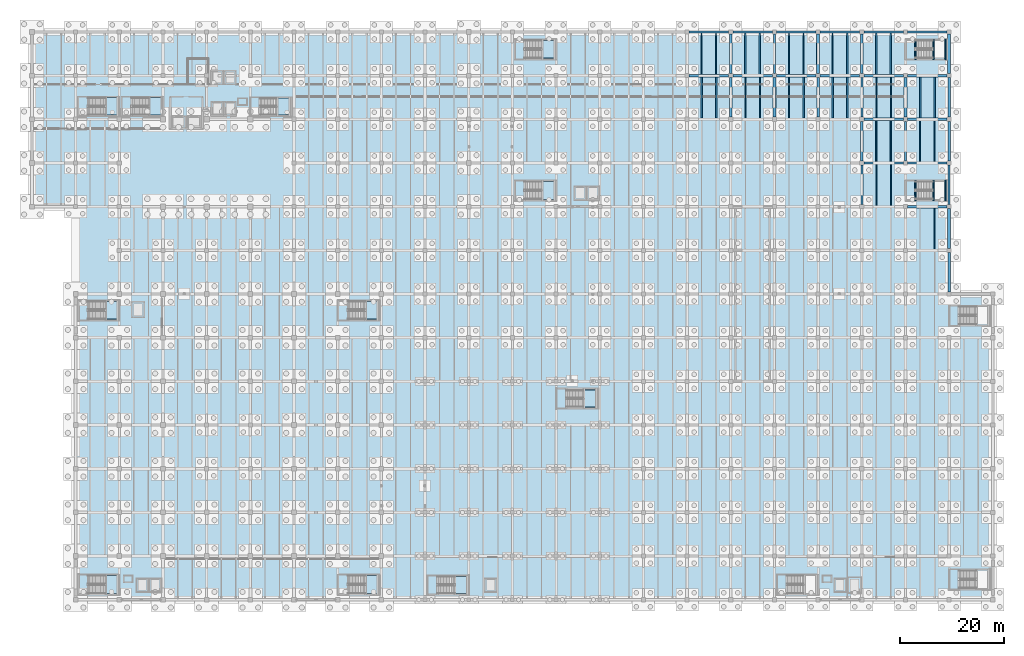
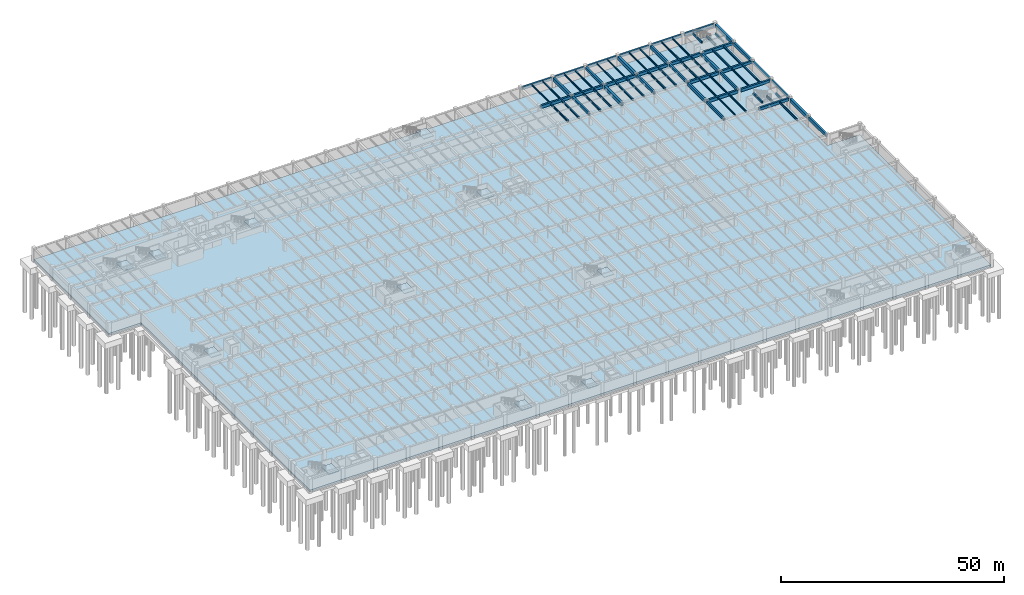
# One storey, part 33 of 70: 70 beams, 12 slabs, 11 elements without a shape of their own.
"""IFC4 building model written with IfcOpenShell, lengths in metres."""

from ifc_helpers import new_model, si_unit, direction, frame, origin, origin_2d, place, context, subcontext, project, spatial, polyline, rectangle, i_section, outline, extrude, material, layer, layer_set, material_profile, profile_set, type_object, element, aggregate, save


model = new_model("IFC4")

# Units and contexts
model_context = context("Model", 3, precision=1e-05, world=origin(), true_north=direction((0.0, 1.0)))
body_context = subcontext(model_context, "Body", "Model", "MODEL_VIEW")
ifc_project = project(units=[si_unit("LENGTHUNIT", "METRE"), si_unit("AREAUNIT", "SQUARE_METRE"), si_unit("VOLUMEUNIT", "CUBIC_METRE"), si_unit("PLANEANGLEUNIT", "RADIAN"), si_unit("MASSUNIT", "GRAM", prefix="KILO")], contexts=[model_context])

# Site, building, storey
site_placement = place(None, origin())
site = spatial("IfcSite", under=ifc_project, at=site_placement, CompositionType="ELEMENT")
building_placement = place(site_placement, origin())
building = spatial("IfcBuilding", under=site, at=building_placement, Name="Cumbredor Promenade Congress Hotel", CompositionType="ELEMENT")
storey_placement = place(building_placement, frame((0.0, 0.0, -7.56005859375)))
storey = spatial("IfcBuildingStorey", under=building, at=storey_placement, Name="B02", CompositionType="ELEMENT", Elevation=-7.56005859375)

# Beams
ifc_material_1 = material(Name="Concrete C40/50", Category="concrete")
ifc_material_profile_1 = material_profile(ifc_material_1, rectangle(XDim=0.39990234375, YDim=0.64990234375, at=origin_2d()), Name="RC BEAM 400x650")
ifc_profile_set_1 = profile_set([ifc_material_profile_1], Name="Concrete C40/50")
beam_type_1 = type_object("IfcBeamType", Name="BM-RC-400x650", PredefinedType="BEAM", material=ifc_profile_set_1)
for number, where, z_axis, x_axis, name in (
    (1, (134.39990234375, 101.199951171875, 2.635009765625), (0.0, 1.0, 0.0), (-1.0, 0.0, 0.0), "B01 Y-Grid Beam 412"),
    (2, (159.60009765625, 84.39990234375, 2.635009765625), (0.0, 1.0, 0.0), (-1.0, 0.0, 0.0), "B01 Y-Grid Beam 488"),
    (3, (159.60009765625, 101.199951171875, 2.635009765625), (0.0, 1.0, 0.0), (-1.0, 0.0, 0.0), "B01 Y-Grid Beam 492"),
):
    element("IfcBeam", number, at=place(storey_placement, frame(where, z_axis=z_axis, x_axis=x_axis)), inside=storey, type_object=beam_type_1, Name=name, PredefinedType="BEAM", context=body_context, shape_type="SweptSolid", body=[
        extrude(rectangle(XDim=0.39990234375, YDim=0.64990234375, at=origin_2d()), origin(), (0.0, 0.0, 1.0), 7.60009765625),
    ])
beam_1_placement = place(storey_placement, frame((168.0, 92.800048828125, 2.635009765625), z_axis=(0.0, 1.0, 0.0), x_axis=(-1.0, 0.0, 0.0)))
element("IfcBeam", 4, at=beam_1_placement, inside=storey, type_object=beam_type_1, Name="B01 Y-Grid Beam 516", PredefinedType="BEAM", context=body_context, shape_type="SweptSolid", body=[
    extrude(rectangle(XDim=0.39990234375, YDim=0.64990234375, at=origin_2d()), origin(), (0.0, 0.0, 1.0), 7.599853515625),
])
beam_2_placement = place(storey_placement, frame((176.39990234375, 84.39990234375, 2.635009765625), z_axis=(0.0, 1.0, 0.0), x_axis=(-1.0, 0.0, 0.0)))
element("IfcBeam", 5, at=beam_2_placement, inside=storey, type_object=beam_type_1, Name="B01 Y-Grid Beam 536", PredefinedType="BEAM", context=body_context, shape_type="SweptSolid", body=[
    extrude(rectangle(XDim=0.39990234375, YDim=0.64990234375, at=origin_2d()), origin(), (0.0, 0.0, 1.0), 7.60009765625),
])
ifc_material_profile_2 = material_profile(ifc_material_1, rectangle(XDim=0.449951171875, YDim=0.75, at=origin_2d()), Name="RC BEAM 450x750")
ifc_profile_set_2 = profile_set([ifc_material_profile_2], Name="Concrete C40/50")
beam_type_2 = type_object("IfcBeamType", Name="BM-RC-450x750", PredefinedType="BEAM", material=ifc_profile_set_2)
for number, where, z_axis, x_axis, name in (
    (6, (126.39990234375, 109.199951171875, 2.5849609375), (1.0, 0.0, 0.0), (0.0, 1.0, 0.0), "B01 X-Grid Beam 386"),
    (7, (126.39990234375, 117.60009765625, 2.5849609375), (1.0, 0.0, 0.0), (0.0, 1.0, 0.0), "B01 X-Grid Beam 388"),
):
    element("IfcBeam", number, at=place(storey_placement, frame(where, z_axis=z_axis, x_axis=x_axis)), inside=storey, type_object=beam_type_2, Name=name, PredefinedType="BEAM", context=body_context, shape_type="SweptSolid", body=[
        extrude(rectangle(XDim=0.449951171875, YDim=0.75, at=origin_2d()), origin(), (0.0, 0.0, 1.0), 7.60009765625),
    ])
for number, where, z_axis, x_axis, name in (
    (8, (134.800048828125, 109.199951171875, 2.5849609375), (1.0, 0.0, 0.0), (0.0, 1.0, 0.0), "B01 X-Grid Beam 413"),
    (9, (134.800048828125, 117.60009765625, 2.5849609375), (1.0, 0.0, 0.0), (0.0, 1.0, 0.0), "B01 X-Grid Beam 415"),
):
    element("IfcBeam", number, at=place(storey_placement, frame(where, z_axis=z_axis, x_axis=x_axis)), inside=storey, type_object=beam_type_2, Name=name, PredefinedType="BEAM", context=body_context, shape_type="SweptSolid", body=[
        extrude(rectangle(XDim=0.449951171875, YDim=0.75, at=origin_2d()), origin(), (0.0, 0.0, 1.0), 7.599853515625),
    ])
beam_3_placement = place(storey_placement, frame((143.199951171875, 109.199951171875, 2.5849609375), z_axis=(1.0, 0.0, 0.0), x_axis=(0.0, 1.0, 0.0)))
element("IfcBeam", 10, at=beam_3_placement, inside=storey, type_object=beam_type_2, Name="B01 X-Grid Beam 440", PredefinedType="BEAM", context=body_context, shape_type="SweptSolid", body=[
    extrude(rectangle(XDim=0.449951171875, YDim=0.75, at=origin_2d()), origin(), (0.0, 0.0, 1.0), 7.60009765625),
])
beam_4_placement = place(storey_placement, frame((142.800048828125, 109.60009765625, 2.5849609375), z_axis=(0.0, 1.0, 0.0), x_axis=(-1.0, 0.0, 0.0)))
element("IfcBeam", 11, at=beam_4_placement, inside=storey, type_object=beam_type_2, Name="B01 Y-Grid Beam 441", PredefinedType="BEAM", context=body_context, shape_type="SweptSolid", body=[
    extrude(rectangle(XDim=0.449951171875, YDim=0.75, at=origin_2d()), origin(), (0.0, 0.0, 1.0), 7.599853515625),
])
for number, where, z_axis, x_axis, name in (
    (12, (143.199951171875, 117.60009765625, 2.5849609375), (1.0, 0.0, 0.0), (0.0, 1.0, 0.0), "B01 X-Grid Beam 442"),
    (13, (151.199951171875, 101.199951171875, 2.5849609375), (0.0, 1.0, 0.0), (-1.0, 0.0, 0.0), "B01 Y-Grid Beam 465"),
):
    element("IfcBeam", number, at=place(storey_placement, frame(where, z_axis=z_axis, x_axis=x_axis)), inside=storey, type_object=beam_type_2, Name=name, PredefinedType="BEAM", context=body_context, shape_type="SweptSolid", body=[
        extrude(rectangle(XDim=0.449951171875, YDim=0.75, at=origin_2d()), origin(), (0.0, 0.0, 1.0), 7.60009765625),
    ])
for number, where, z_axis, x_axis, name in (
    (14, (151.60009765625, 109.199951171875, 2.5849609375), (1.0, 0.0, 0.0), (0.0, 1.0, 0.0), "B01 X-Grid Beam 466"),
    (15, (151.60009765625, 117.60009765625, 2.5849609375), (1.0, 0.0, 0.0), (0.0, 1.0, 0.0), "B01 X-Grid Beam 468"),
):
    element("IfcBeam", number, at=place(storey_placement, frame(where, z_axis=z_axis, x_axis=x_axis)), inside=storey, type_object=beam_type_2, Name=name, PredefinedType="BEAM", context=body_context, shape_type="SweptSolid", body=[
        extrude(rectangle(XDim=0.449951171875, YDim=0.75, at=origin_2d()), origin(), (0.0, 0.0, 1.0), 7.599853515625),
    ])
for number, where, z_axis, x_axis, name in (
    (16, (160.0, 92.39990234375, 2.5849609375), (1.0, 0.0, 0.0), (0.0, 1.0, 0.0), "B01 X-Grid Beam 489"),
    (17, (160.0, 100.800048828125, 2.5849609375), (1.0, 0.0, 0.0), (0.0, 1.0, 0.0), "B01 X-Grid Beam 491"),
    (18, (160.0, 109.199951171875, 2.5849609375), (1.0, 0.0, 0.0), (0.0, 1.0, 0.0), "B01 X-Grid Beam 493"),
    (19, (160.0, 117.60009765625, 2.5849609375), (1.0, 0.0, 0.0), (0.0, 1.0, 0.0), "B01 X-Grid Beam 495"),
    (20, (168.39990234375, 84.0, 2.5849609375), (1.0, 0.0, 0.0), (0.0, 1.0, 0.0), "B01 X-Grid Beam 514"),
    (21, (168.39990234375, 92.39990234375, 2.5849609375), (1.0, 0.0, 0.0), (0.0, 1.0, 0.0), "B01 X-Grid Beam 515"),
    (22, (168.39990234375, 100.800048828125, 2.5849609375), (1.0, 0.0, 0.0), (0.0, 1.0, 0.0), "B01 X-Grid Beam 517"),
    (23, (168.39990234375, 109.199951171875, 2.5849609375), (1.0, 0.0, 0.0), (0.0, 1.0, 0.0), "B01 X-Grid Beam 519"),
    (24, (168.39990234375, 117.60009765625, 2.5849609375), (1.0, 0.0, 0.0), (0.0, 1.0, 0.0), "B01 X-Grid Beam 520"),
):
    element("IfcBeam", number, at=place(storey_placement, frame(where, z_axis=z_axis, x_axis=x_axis)), inside=storey, type_object=beam_type_2, Name=name, PredefinedType="BEAM", context=body_context, shape_type="SweptSolid", body=[
        extrude(rectangle(XDim=0.449951171875, YDim=0.75, at=origin_2d()), origin(), (0.0, 0.0, 1.0), 7.60009765625),
    ])
beam_5_placement = place(storey_placement, frame((176.39990234375, 92.800048828125, 2.5849609375), z_axis=(0.0, 1.0, 0.0), x_axis=(-1.0, 0.0, 0.0)))
element("IfcBeam", 25, at=beam_5_placement, inside=storey, type_object=beam_type_2, Name="B01 Y-Grid Beam 537", PredefinedType="BEAM", context=body_context, shape_type="SweptSolid", body=[
    extrude(rectangle(XDim=0.449951171875, YDim=0.75, at=origin_2d()), origin(), (0.0, 0.0, 1.0), 7.599853515625),
])
ifc_material_profile_3 = material_profile(ifc_material_1, rectangle(XDim=0.5, YDim=0.85009765625, at=origin_2d()), Name="RC BEAM 500x850")
ifc_profile_set_3 = profile_set([ifc_material_profile_3], Name="Concrete C40/50")
beam_type_3 = type_object("IfcBeamType", Name="BM-RC-500x850", PredefinedType="BEAM", material=ifc_profile_set_3)
for number, where, z_axis, x_axis, name in (
    (26, (134.39990234375, 109.60009765625, 2.53515625), (0.0, 1.0, 0.0), (-1.0, 0.0, 0.0), "B01 Y-Grid Beam 414"),
    (27, (159.60009765625, 92.800048828125, 2.53515625), (0.0, 1.0, 0.0), (-1.0, 0.0, 0.0), "B01 Y-Grid Beam 490"),
    (28, (159.60009765625, 109.60009765625, 2.53515625), (0.0, 1.0, 0.0), (-1.0, 0.0, 0.0), "B01 Y-Grid Beam 494"),
):
    element("IfcBeam", number, at=place(storey_placement, frame(where, z_axis=z_axis, x_axis=x_axis)), inside=storey, type_object=beam_type_3, Name=name, PredefinedType="BEAM", context=body_context, shape_type="SweptSolid", body=[
        extrude(rectangle(XDim=0.5, YDim=0.85009765625, at=origin_2d()), origin(), (0.0, 0.0, 1.0), 7.599853515625),
    ])
beam_6_placement = place(storey_placement, frame((168.0, 101.199951171875, 2.53515625), z_axis=(0.0, 1.0, 0.0), x_axis=(-1.0, 0.0, 0.0)))
element("IfcBeam", 29, at=beam_6_placement, inside=storey, type_object=beam_type_3, Name="B01 Y-Grid Beam 518", PredefinedType="BEAM", context=body_context, shape_type="SweptSolid", body=[
    extrude(rectangle(XDim=0.5, YDim=0.85009765625, at=origin_2d()), origin(), (0.0, 0.0, 1.0), 7.60009765625),
])
beam_7_placement = place(storey_placement, frame((176.39990234375, 67.60009765625, 2.53515625), z_axis=(0.0, 1.0, 0.0), x_axis=(-1.0, 0.0, 0.0)))
element("IfcBeam", 30, at=beam_7_placement, inside=storey, type_object=beam_type_3, Name="B01 Y-Grid Beam 534", PredefinedType="BEAM", context=body_context, shape_type="SweptSolid", body=[
    extrude(rectangle(XDim=0.5, YDim=0.85009765625, at=origin_2d()), origin(), (0.0, 0.0, 1.0), 7.599853515625),
])
beam_8_placement = place(storey_placement, frame((176.39990234375, 101.199951171875, 2.53515625), z_axis=(0.0, 1.0, 0.0), x_axis=(-1.0, 0.0, 0.0)))
element("IfcBeam", 31, at=beam_8_placement, inside=storey, type_object=beam_type_3, Name="B01 Y-Grid Beam 538", PredefinedType="BEAM", context=body_context, shape_type="SweptSolid", body=[
    extrude(rectangle(XDim=0.5, YDim=0.85009765625, at=origin_2d()), origin(), (0.0, 0.0, 1.0), 7.60009765625),
])
ifc_material_profile_4 = material_profile(ifc_material_1, rectangle(XDim=0.550048828125, YDim=0.949951171875, at=origin_2d()), Name="RC BEAM 550x950")
ifc_profile_set_4 = profile_set([ifc_material_profile_4], Name="Concrete C40/50")
beam_type_4 = type_object("IfcBeamType", Name="BM-RC-550x950", PredefinedType="BEAM", material=ifc_profile_set_4)
beam_9_placement = place(storey_placement, frame((142.800048828125, 101.199951171875, 2.485107421875), z_axis=(0.0, 1.0, 0.0), x_axis=(-1.0, 0.0, 0.0)))
element("IfcBeam", 32, at=beam_9_placement, inside=storey, type_object=beam_type_4, Name="B01 Y-Grid Beam 439", PredefinedType="BEAM", context=body_context, shape_type="SweptSolid", body=[
    extrude(rectangle(XDim=0.550048828125, YDim=0.949951171875, at=origin_2d()), origin(), (0.0, 0.0, 1.0), 7.60009765625),
])
beam_10_placement = place(storey_placement, frame((151.199951171875, 109.60009765625, 2.485107421875), z_axis=(0.0, 1.0, 0.0), x_axis=(-1.0, 0.0, 0.0)))
element("IfcBeam", 33, at=beam_10_placement, inside=storey, type_object=beam_type_4, Name="B01 Y-Grid Beam 467", PredefinedType="BEAM", context=body_context, shape_type="SweptSolid", body=[
    extrude(rectangle(XDim=0.550048828125, YDim=0.949951171875, at=origin_2d()), origin(), (0.0, 0.0, 1.0), 7.599853515625),
])
beam_11_placement = place(storey_placement, frame((176.39990234375, 76.0, 2.485107421875), z_axis=(0.0, 1.0, 0.0), x_axis=(-1.0, 0.0, 0.0)))
element("IfcBeam", 34, at=beam_11_placement, inside=storey, type_object=beam_type_4, Name="B01 Y-Grid Beam 535", PredefinedType="BEAM", context=body_context, shape_type="SweptSolid", body=[
    extrude(rectangle(XDim=0.550048828125, YDim=0.949951171875, at=origin_2d()), origin(), (0.0, 0.0, 1.0), 7.60009765625),
])
beam_12_placement = place(storey_placement, frame((176.39990234375, 109.60009765625, 2.485107421875), z_axis=(0.0, 1.0, 0.0), x_axis=(-1.0, 0.0, 0.0)))
element("IfcBeam", 35, at=beam_12_placement, inside=storey, type_object=beam_type_4, Name="B01 Y-Grid Beam 539", PredefinedType="BEAM", context=body_context, shape_type="SweptSolid", body=[
    extrude(rectangle(XDim=0.550048828125, YDim=0.949951171875, at=origin_2d()), origin(), (0.0, 0.0, 1.0), 7.599853515625),
])
ifc_material_2 = material(Name="Steel ASTM A992 Grade 50", Category="steel")
ifc_material_profile_5 = material_profile(ifc_material_2, i_section(OverallWidth=0.202880859375, OverallDepth=0.302978515625, WebThickness=0.007568359375, FlangeThickness=0.01318359375, at=origin_2d()), Name="W12X40")
ifc_profile_set_5 = profile_set([ifc_material_profile_5], Name="Steel ASTM A992 Grade 50")
beam_type_5 = type_object("IfcBeamType", Name="JST-W12X40", PredefinedType="JOIST", material=ifc_profile_set_5)
for number, where, z_axis, x_axis, name in (
    (36, (128.800048828125, 109.425048828125, 2.80859375), (0.0, 1.0, 0.0), (-1.0, 0.0, 0.0), "B01 Secondary Floor Joist 0345"),
    (37, (131.60009765625, 109.425048828125, 2.80859375), (0.0, 1.0, 0.0), (-1.0, 0.0, 0.0), "B01 Secondary Floor Joist 0346"),
    (38, (145.60009765625, 109.425048828125, 2.80859375), (0.0, 1.0, 0.0), (-1.0, 0.0, 0.0), "B01 Secondary Floor Joist 0395"),
    (39, (148.39990234375, 109.425048828125, 2.80859375), (0.0, 1.0, 0.0), (-1.0, 0.0, 0.0), "B01 Secondary Floor Joist 0396"),
    (40, (154.0, 109.425048828125, 2.80859375), (0.0, 1.0, 0.0), (-1.0, 0.0, 0.0), "B01 Secondary Floor Joist 0420"),
    (41, (156.800048828125, 109.425048828125, 2.80859375), (0.0, 1.0, 0.0), (-1.0, 0.0, 0.0), "B01 Secondary Floor Joist 0421"),
    (42, (162.39990234375, 84.22509765625, 2.80859375), (0.0, 1.0, 0.0), (-1.0, 0.0, 0.0), "B01 Secondary Floor Joist 0440"),
    (43, (165.199951171875, 84.22509765625, 2.80859375), (0.0, 1.0, 0.0), (-1.0, 0.0, 0.0), "B01 Secondary Floor Joist 0441"),
):
    element("IfcBeam", number, at=place(storey_placement, frame(where, z_axis=z_axis, x_axis=x_axis)), inside=storey, type_object=beam_type_5, Name=name, PredefinedType="JOIST", context=body_context, shape_type="SweptSolid", body=[
        extrude(i_section(OverallWidth=0.202880859375, OverallDepth=0.302978515625, WebThickness=0.007568359375, FlangeThickness=0.01318359375, at=origin_2d()), origin(), (0.0, 0.0, 1.0), 7.949951171875),
    ])
ifc_material_profile_6 = material_profile(ifc_material_2, i_section(OverallWidth=0.2548828125, OverallDepth=0.35693359375, WebThickness=0.010498046875, FlangeThickness=0.018310546875, at=origin_2d()), Name="W14X68")
ifc_profile_set_6 = profile_set([ifc_material_profile_6], Name="Steel ASTM A992 Grade 50")
beam_type_6 = type_object("IfcBeamType", Name="JST-W14X68", PredefinedType="JOIST", material=ifc_profile_set_6)
for number, where, z_axis, x_axis, name in (
    (44, (137.199951171875, 109.425048828125, 2.781494140625), (0.0, 1.0, 0.0), (-1.0, 0.0, 0.0), "B01 Secondary Floor Joist 0371"),
    (45, (140.0, 109.425048828125, 2.781494140625), (0.0, 1.0, 0.0), (-1.0, 0.0, 0.0), "B01 Secondary Floor Joist 0372"),
    (46, (162.39990234375, 109.425048828125, 2.781494140625), (0.0, 1.0, 0.0), (-1.0, 0.0, 0.0), "B01 Secondary Floor Joist 0446"),
    (47, (165.199951171875, 109.425048828125, 2.781494140625), (0.0, 1.0, 0.0), (-1.0, 0.0, 0.0), "B01 Secondary Floor Joist 0447"),
    (48, (170.800048828125, 92.625, 2.781494140625), (0.0, 1.0, 0.0), (-1.0, 0.0, 0.0), "B01 Secondary Floor Joist 0466"),
    (49, (173.60009765625, 92.625, 2.781494140625), (0.0, 1.0, 0.0), (-1.0, 0.0, 0.0), "B01 Secondary Floor Joist 0467"),
):
    element("IfcBeam", number, at=place(storey_placement, frame(where, z_axis=z_axis, x_axis=x_axis)), inside=storey, type_object=beam_type_6, Name=name, PredefinedType="JOIST", context=body_context, shape_type="SweptSolid", body=[
        extrude(i_section(OverallWidth=0.2548828125, OverallDepth=0.35693359375, WebThickness=0.010498046875, FlangeThickness=0.018310546875, at=origin_2d()), origin(), (0.0, 0.0, 1.0), 7.949951171875),
    ])
ifc_material_profile_7 = material_profile(ifc_material_2, i_section(OverallWidth=0.180908203125, OverallDepth=0.4169921875, WebThickness=0.010986328125, FlangeThickness=0.018310546875, at=origin_2d()), Name="W16X57")
ifc_profile_set_7 = profile_set([ifc_material_profile_7], Name="Steel ASTM A992 Grade 50")
beam_type_7 = type_object("IfcBeamType", Name="JST-W16X57", PredefinedType="JOIST", material=ifc_profile_set_7)
for number, where, z_axis, x_axis, name in (
    (50, (162.39990234375, 92.625, 2.75146484375), (0.0, 1.0, 0.0), (-1.0, 0.0, 0.0), "B01 Secondary Floor Joist 0442"),
    (51, (165.199951171875, 92.625, 2.75146484375), (0.0, 1.0, 0.0), (-1.0, 0.0, 0.0), "B01 Secondary Floor Joist 0443"),
):
    element("IfcBeam", number, at=place(storey_placement, frame(where, z_axis=z_axis, x_axis=x_axis)), inside=storey, type_object=beam_type_7, Name=name, PredefinedType="JOIST", context=body_context, shape_type="SweptSolid", body=[
        extrude(i_section(OverallWidth=0.180908203125, OverallDepth=0.4169921875, WebThickness=0.010986328125, FlangeThickness=0.018310546875, at=origin_2d()), origin(), (0.0, 0.0, 1.0), 7.949951171875),
    ])
ifc_material_profile_8 = material_profile(ifc_material_2, i_section(OverallWidth=0.280029296875, OverallDepth=0.462890625, WebThickness=0.0107421875, FlangeThickness=0.017333984375, at=origin_2d()), Name="W18X76")
ifc_profile_set_8 = profile_set([ifc_material_profile_8], Name="Steel ASTM A992 Grade 50")
beam_type_8 = type_object("IfcBeamType", Name="JST-W18X76", PredefinedType="JOIST", material=ifc_profile_set_8)
for number, where, z_axis, x_axis, name in (
    (52, (128.800048828125, 101.02490234375, 2.728515625), (0.0, 1.0, 0.0), (-1.0, 0.0, 0.0), "B01 Secondary Floor Joist 0343"),
    (53, (131.60009765625, 101.02490234375, 2.728515625), (0.0, 1.0, 0.0), (-1.0, 0.0, 0.0), "B01 Secondary Floor Joist 0344"),
    (54, (145.60009765625, 101.02490234375, 2.728515625), (0.0, 1.0, 0.0), (-1.0, 0.0, 0.0), "B01 Secondary Floor Joist 0393"),
    (55, (148.39990234375, 101.02490234375, 2.728515625), (0.0, 1.0, 0.0), (-1.0, 0.0, 0.0), "B01 Secondary Floor Joist 0394"),
    (56, (154.0, 101.02490234375, 2.728515625), (0.0, 1.0, 0.0), (-1.0, 0.0, 0.0), "B01 Secondary Floor Joist 0418"),
    (57, (156.800048828125, 101.02490234375, 2.728515625), (0.0, 1.0, 0.0), (-1.0, 0.0, 0.0), "B01 Secondary Floor Joist 0419"),
    (58, (170.800048828125, 101.02490234375, 2.728515625), (0.0, 1.0, 0.0), (-1.0, 0.0, 0.0), "B01 Secondary Floor Joist 0468"),
    (59, (173.60009765625, 101.02490234375, 2.728515625), (0.0, 1.0, 0.0), (-1.0, 0.0, 0.0), "B01 Secondary Floor Joist 0469"),
):
    element("IfcBeam", number, at=place(storey_placement, frame(where, z_axis=z_axis, x_axis=x_axis)), inside=storey, type_object=beam_type_8, Name=name, PredefinedType="JOIST", context=body_context, shape_type="SweptSolid", body=[
        extrude(i_section(OverallWidth=0.280029296875, OverallDepth=0.462890625, WebThickness=0.0107421875, FlangeThickness=0.017333984375, at=origin_2d()), origin(), (0.0, 0.0, 1.0), 7.9501953125),
    ])
ifc_material_profile_9 = material_profile(ifc_material_2, i_section(OverallWidth=0.214111328125, OverallDepth=0.549072265625, WebThickness=0.0146484375, FlangeThickness=0.023681640625, at=origin_2d()), Name="W21X93")
ifc_profile_set_9 = profile_set([ifc_material_profile_9], Name="Steel ASTM A992 Grade 50")
beam_type_9 = type_object("IfcBeamType", Name="JST-W21X93", PredefinedType="JOIST", material=ifc_profile_set_9)
for number, where, z_axis, x_axis, name in (
    (60, (137.199951171875, 101.02490234375, 2.685546875), (0.0, 1.0, 0.0), (-1.0, 0.0, 0.0), "B01 Secondary Floor Joist 0369"),
    (61, (140.0, 101.02490234375, 2.685546875), (0.0, 1.0, 0.0), (-1.0, 0.0, 0.0), "B01 Secondary Floor Joist 0370"),
    (62, (162.39990234375, 101.02490234375, 2.685546875), (0.0, 1.0, 0.0), (-1.0, 0.0, 0.0), "B01 Secondary Floor Joist 0444"),
    (63, (165.199951171875, 101.02490234375, 2.685546875), (0.0, 1.0, 0.0), (-1.0, 0.0, 0.0), "B01 Secondary Floor Joist 0445"),
):
    element("IfcBeam", number, at=place(storey_placement, frame(where, z_axis=z_axis, x_axis=x_axis)), inside=storey, type_object=beam_type_9, Name=name, PredefinedType="JOIST", context=body_context, shape_type="SweptSolid", body=[
        extrude(i_section(OverallWidth=0.214111328125, OverallDepth=0.549072265625, WebThickness=0.0146484375, FlangeThickness=0.023681640625, at=origin_2d()), origin(), (0.0, 0.0, 1.0), 7.9501953125),
    ])
beam_13_placement = place(storey_placement, frame((173.60009765625, 75.824951171875, 2.685546875), z_axis=(0.0, 1.0, 0.0), x_axis=(-1.0, 0.0, 0.0)))
element("IfcBeam", 64, at=beam_13_placement, inside=storey, type_object=beam_type_9, Name="B01 Secondary Floor Joist 0465", PredefinedType="JOIST", context=body_context, shape_type="SweptSolid", body=[
    extrude(i_section(OverallWidth=0.214111328125, OverallDepth=0.549072265625, WebThickness=0.0146484375, FlangeThickness=0.023681640625, at=origin_2d()), origin(), (0.0, 0.0, 1.0), 7.949951171875),
])
ifc_material_profile_10 = material_profile(ifc_material_1, rectangle(XDim=0.300048828125, YDim=0.5, at=origin_2d()), Name="RC LINTEL 300x500")
ifc_profile_set_10 = profile_set([ifc_material_profile_10], Name="Concrete C40/50")
beam_type_10 = type_object("IfcBeamType", Name="LN-RC-300x500", PredefinedType="LINTEL", material=ifc_profile_set_10)
for number, where, z_axis, x_axis, name in (
    (65, (175.669921875, 85.1298828125, 1.22998046875), (0.0, 1.0, 0.0), (-1.0, 0.0, 0.0), "B02 Stair ST-14 Landing Ledger Beam E"),
    (66, (173.3701171875, 85.1298828125, 1.22998046875), (0.0, 1.0, 0.0), (-1.0, 0.0, 0.0), "B02 Stair ST-14 Landing Ledger Beam W"),
    (67, (169.919921875, 85.1298828125, 3.110107421875), (0.0, 1.0, 0.0), (-1.0, 0.0, 0.0), "B01 Stair ST-14 Well Header Trimmer Beam"),
):
    element("IfcBeam", number, at=place(storey_placement, frame(where, z_axis=z_axis, x_axis=x_axis)), inside=storey, type_object=beam_type_10, Name=name, PredefinedType="LINTEL", context=body_context, shape_type="SweptSolid", body=[
        extrude(rectangle(XDim=0.300048828125, YDim=0.5, at=origin_2d()), origin(), (0.0, 0.0, 1.0), 3.97021484375),
    ])
for number, where, z_axis, x_axis, name in (
    (68, (175.669921875, 112.25, 1.22998046875), (0.0, 1.0, 0.0), (-1.0, 0.0, 0.0), "B02 Stair ST-16 Landing Ledger Beam E"),
    (69, (173.3701171875, 112.25, 1.22998046875), (0.0, 1.0, 0.0), (-1.0, 0.0, 0.0), "B02 Stair ST-16 Landing Ledger Beam W"),
    (70, (169.919921875, 112.25, 3.110107421875), (0.0, 1.0, 0.0), (-1.0, 0.0, 0.0), "B01 Stair ST-16 Well Header Trimmer Beam"),
):
    element("IfcBeam", number, at=place(storey_placement, frame(where, z_axis=z_axis, x_axis=x_axis)), inside=storey, type_object=beam_type_10, Name=name, PredefinedType="LINTEL", context=body_context, shape_type="SweptSolid", body=[
        extrude(rectangle(XDim=0.300048828125, YDim=0.5, at=origin_2d()), origin(), (0.0, 0.0, 1.0), 3.949951171875),
    ])

# Slab
ifc_layer_1 = layer(ifc_material_1, 0.5, Name="Concrete C40/50", Category="concrete")
ifc_layer_set_1 = layer_set([ifc_layer_1], Name="Concrete C40/50")
slab_type_1 = type_object("IfcSlabType", Name="Basement Base Slab 500mm", PredefinedType="BASESLAB", material=ifc_layer_set_1)
slab_1_placement = place(storey_placement, frame((0.0, 0.0, -0.5)))
element("IfcSlab", 71, at=slab_1_placement, inside=storey, type_object=slab_type_1, Name="Lower Sub-Basement B02 Structural Base Slab", PredefinedType="BASESLAB", context=body_context, shape_type="SweptSolid", body=[
    extrude(outline(polyline([(8.39990234375, 8.39990234375), (184.800048828125, 8.39990234375), (184.800048828125, 67.199951171875), (176.39990234375, 67.199951171875), (176.39990234375, 117.60009765625), (0.0, 117.60009765625), (0.0, 84.0), (8.39990234375, 84.0), (8.39990234375, 8.39990234375)])), origin(), (0.0, 0.0, 1.0), 0.5),
])

# Stair, slab
stair_type_1 = type_object("IfcStairType", Name="Protected Dog-Leg Exit Stair ST-T2 1600mm", PredefinedType="HALF_TURN_STAIR", material=ifc_material_1)
stair_1_placement = place(storey_placement, origin())
stair_1 = element("IfcStair", 72, at=stair_1_placement, inside=storey, type_object=stair_type_1, Name="B02 Protected Exit Stair ST-01", PredefinedType="HALF_TURN_STAIR")
ifc_layer_2 = layer(ifc_material_1, 0.199951171875, Name="Concrete C40/50", Category="concrete")
ifc_layer_set_2 = layer_set([ifc_layer_2], Name="Concrete C40/50")
slab_type_2 = type_object("IfcSlabType", Name="Concrete Stair Landing Slab 200mm", PredefinedType="LANDING", material=ifc_layer_set_2)
slab_2_placement = place(storey_placement, frame((0.0, 0.0, 1.47998046875)))
slab_2 = element("IfcSlab", 73, at=slab_2_placement, type_object=slab_type_2, Name="ST-01 landing 1", PredefinedType="LANDING", context=body_context, shape_type="SweptSolid", body=[
    extrude(outline(polyline([(14.050048828125, 101.6201171875), (16.64990234375, 101.6201171875), (16.64990234375, 104.969970703125), (14.050048828125, 104.969970703125), (14.050048828125, 101.6201171875)])), origin(), (0.0, 0.0, 1.0), 0.2001953125),
])
aggregate(stair_1, [slab_2])

stair_2_placement = place(storey_placement, origin())
stair_2 = element("IfcStair", 74, at=stair_2_placement, inside=storey, type_object=stair_type_1, Name="B02 Protected Exit Stair ST-02", PredefinedType="HALF_TURN_STAIR")
slab_3_placement = place(storey_placement, frame((0.0, 0.0, 1.47998046875)))
slab_3 = element("IfcSlab", 75, at=slab_3_placement, type_object=slab_type_2, Name="ST-02 landing 1", PredefinedType="LANDING", context=body_context, shape_type="SweptSolid", body=[
    extrude(outline(polyline([(22.449951171875, 101.6201171875), (25.050048828125, 101.6201171875), (25.050048828125, 104.969970703125), (22.449951171875, 104.969970703125), (22.449951171875, 101.6201171875)])), origin(), (0.0, 0.0, 1.0), 0.2001953125),
])
aggregate(stair_2, [slab_3])

stair_type_2 = type_object("IfcStairType", Name="Protected Dog-Leg Exit Stair ST-T1 1550mm", PredefinedType="HALF_TURN_STAIR", material=ifc_material_1)
stair_3_placement = place(storey_placement, origin())
stair_3 = element("IfcStair", 76, at=stair_3_placement, inside=storey, type_object=stair_type_2, Name="B02 Protected Exit Stair ST-03", PredefinedType="HALF_TURN_STAIR")
slab_4_placement = place(storey_placement, frame((0.0, 0.0, 1.47998046875)))
slab_4 = element("IfcSlab", 77, at=slab_4_placement, type_object=slab_type_2, Name="ST-03 landing 1", PredefinedType="LANDING", context=body_context, shape_type="SweptSolid", body=[
    extrude(outline(polyline([(47.10009765625, 101.6201171875), (49.699951171875, 101.6201171875), (49.699951171875, 104.8701171875), (47.10009765625, 104.8701171875), (47.10009765625, 101.6201171875)])), origin(), (0.0, 0.0, 1.0), 0.2001953125),
])
aggregate(stair_3, [slab_4])

stair_type_3 = type_object("IfcStairType", Name="Protected Dog-Leg Exit Stair ST-T3 1650mm", PredefinedType="HALF_TURN_STAIR", material=ifc_material_1)
stair_4_placement = place(storey_placement, origin())
stair_4 = element("IfcStair", 78, at=stair_4_placement, inside=storey, type_object=stair_type_3, Name="B02 Protected Exit Stair ST-04", PredefinedType="HALF_TURN_STAIR")
slab_5_placement = place(storey_placement, frame((0.0, 0.0, 1.47998046875)))
slab_5 = element("IfcSlab", 79, at=slab_5_placement, type_object=slab_type_2, Name="ST-04 landing 1", PredefinedType="LANDING", context=body_context, shape_type="SweptSolid", body=[
    extrude(outline(polyline([(14.050048828125, 9.60009765625), (16.64990234375, 9.60009765625), (16.64990234375, 13.050048828125), (14.050048828125, 13.050048828125), (14.050048828125, 9.60009765625)])), origin(), (0.0, 0.0, 1.0), 0.2001953125),
])
aggregate(stair_4, [slab_5])

stair_5_placement = place(storey_placement, origin())
stair_5 = element("IfcStair", 80, at=stair_5_placement, inside=storey, type_object=stair_type_3, Name="B02 Protected Exit Stair ST-05", PredefinedType="HALF_TURN_STAIR")
slab_6_placement = place(storey_placement, frame((0.0, 0.0, 1.47998046875)))
slab_6 = element("IfcSlab", 81, at=slab_6_placement, type_object=slab_type_2, Name="ST-05 landing 1", PredefinedType="LANDING", context=body_context, shape_type="SweptSolid", body=[
    extrude(outline(polyline([(64.050048828125, 9.60009765625), (66.64990234375, 9.60009765625), (66.64990234375, 13.050048828125), (64.050048828125, 13.050048828125), (64.050048828125, 9.60009765625)])), origin(), (0.0, 0.0, 1.0), 0.2001953125),
])
aggregate(stair_5, [slab_6])

stair_6_placement = place(storey_placement, origin())
stair_6 = element("IfcStair", 82, at=stair_6_placement, inside=storey, type_object=stair_type_3, Name="B02 Protected Exit Stair ST-06", PredefinedType="HALF_TURN_STAIR")
slab_7_placement = place(storey_placement, frame((0.0, 0.0, 1.47998046875)))
slab_7 = element("IfcSlab", 83, at=slab_7_placement, type_object=slab_type_2, Name="ST-06 landing 1", PredefinedType="LANDING", context=body_context, shape_type="SweptSolid", body=[
    extrude(outline(polyline([(14.050048828125, 62.35009765625), (16.64990234375, 62.35009765625), (16.64990234375, 65.800048828125), (14.050048828125, 65.800048828125), (14.050048828125, 62.35009765625)])), origin(), (0.0, 0.0, 1.0), 0.2001953125),
])
aggregate(stair_6, [slab_7])

stair_7_placement = place(storey_placement, origin())
stair_7 = element("IfcStair", 84, at=stair_7_placement, inside=storey, type_object=stair_type_3, Name="B02 Protected Exit Stair ST-07", PredefinedType="HALF_TURN_STAIR")
slab_8_placement = place(storey_placement, frame((0.0, 0.0, 1.47998046875)))
slab_8 = element("IfcSlab", 85, at=slab_8_placement, type_object=slab_type_2, Name="ST-07 landing 1", PredefinedType="LANDING", context=body_context, shape_type="SweptSolid", body=[
    extrude(outline(polyline([(64.050048828125, 62.35009765625), (66.64990234375, 62.35009765625), (66.64990234375, 65.800048828125), (64.050048828125, 65.800048828125), (64.050048828125, 62.35009765625)])), origin(), (0.0, 0.0, 1.0), 0.2001953125),
])
aggregate(stair_7, [slab_8])

stair_8_placement = place(storey_placement, origin())
stair_8 = element("IfcStair", 86, at=stair_8_placement, inside=storey, type_object=stair_type_2, Name="B02 Protected Exit Stair ST-11", PredefinedType="HALF_TURN_STAIR")
slab_9_placement = place(storey_placement, frame((0.0, 0.0, 1.47998046875)))
slab_9 = element("IfcSlab", 87, at=slab_9_placement, type_object=slab_type_2, Name="ST-11 landing 1", PredefinedType="LANDING", context=body_context, shape_type="SweptSolid", body=[
    extrude(outline(polyline([(81.25, 9.60009765625), (83.85009765625, 9.60009765625), (83.85009765625, 12.85009765625), (81.25, 12.85009765625), (81.25, 9.60009765625)])), origin(), (0.0, 0.0, 1.0), 0.2001953125),
])
aggregate(stair_8, [slab_9])

stair_9_placement = place(storey_placement, origin())
stair_9 = element("IfcStair", 88, at=stair_9_placement, inside=storey, type_object=stair_type_2, Name="B02 Protected Exit Stair ST-12", PredefinedType="HALF_TURN_STAIR")
slab_10_placement = place(storey_placement, frame((0.0, 0.0, 1.47998046875)))
slab_10 = element("IfcSlab", 89, at=slab_10_placement, type_object=slab_type_2, Name="ST-12 landing 1", PredefinedType="LANDING", context=body_context, shape_type="SweptSolid", body=[
    extrude(outline(polyline([(106.050048828125, 45.449951171875), (108.64990234375, 45.449951171875), (108.64990234375, 48.699951171875), (106.050048828125, 48.699951171875), (106.050048828125, 45.449951171875)])), origin(), (0.0, 0.0, 1.0), 0.2001953125),
])
aggregate(stair_9, [slab_10])

stair_10_placement = place(storey_placement, origin())
stair_10 = element("IfcStair", 90, at=stair_10_placement, inside=storey, type_object=stair_type_3, Name="B02 Protected Exit Stair ST-13", PredefinedType="HALF_TURN_STAIR")
slab_11_placement = place(storey_placement, frame((0.0, 0.0, 1.47998046875)))
slab_11 = element("IfcSlab", 91, at=slab_11_placement, type_object=slab_type_2, Name="ST-13 landing 1", PredefinedType="LANDING", context=body_context, shape_type="SweptSolid", body=[
    extrude(outline(polyline([(98.050048828125, 85.39990234375), (100.64990234375, 85.39990234375), (100.64990234375, 88.85009765625), (98.050048828125, 88.85009765625), (98.050048828125, 85.39990234375)])), origin(), (0.0, 0.0, 1.0), 0.2001953125),
])
aggregate(stair_10, [slab_11])

stair_11_placement = place(storey_placement, origin())
stair_11 = element("IfcStair", 92, at=stair_11_placement, inside=storey, type_object=stair_type_3, Name="B02 Protected Exit Stair ST-15", PredefinedType="HALF_TURN_STAIR")
slab_12_placement = place(storey_placement, frame((0.0, 0.0, 1.47998046875)))
slab_12 = element("IfcSlab", 93, at=slab_12_placement, type_object=slab_type_2, Name="ST-15 landing 1", PredefinedType="LANDING", context=body_context, shape_type="SweptSolid", body=[
    extrude(outline(polyline([(98.050048828125, 112.550048828125), (100.64990234375, 112.550048828125), (100.64990234375, 116.0), (98.050048828125, 116.0), (98.050048828125, 112.550048828125)])), origin(), (0.0, 0.0, 1.0), 0.2001953125),
])
aggregate(stair_11, [slab_12])

save(model, "model.ifc")
